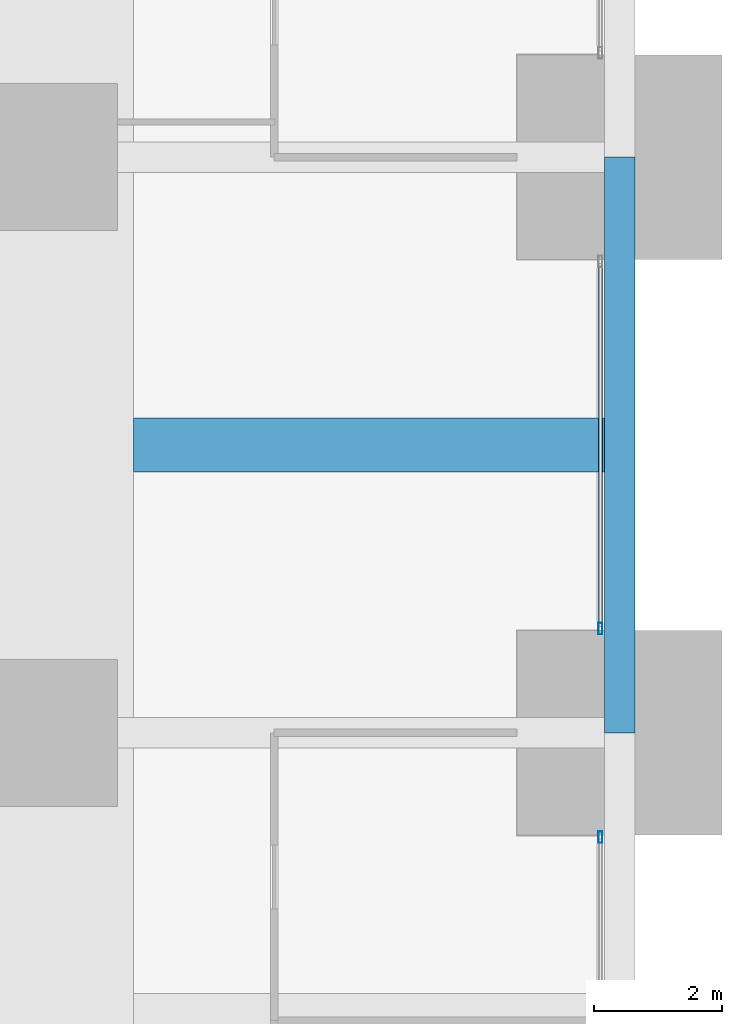
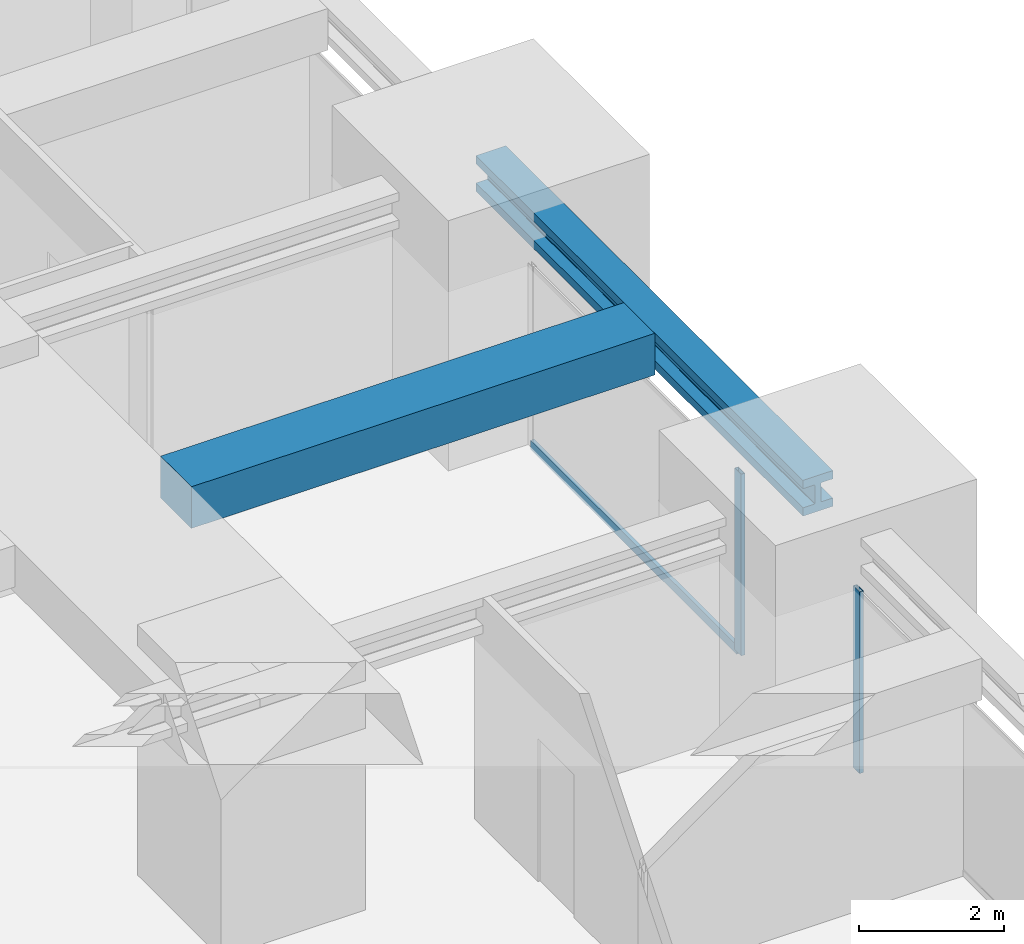
# One storey, part 21 of 42: 3 members, 2 beams, 2 elements without a shape of their own.
"""IFC4 building model written with IfcOpenShell, lengths in metres."""

from ifc_helpers import new_model, si_unit, direction, frame, origin, origin_2d, place, context, subcontext, project, spatial, rectangle, hollow_rectangle, i_section, extrude, material, material_profile, profile_set, type_object, element, aggregate, save


model = new_model("IFC4")

# Units and contexts
model_context = context("Model", 3, precision=1e-05, world=origin(), true_north=direction((0.0, 1.0)))
body_context = subcontext(model_context, "Body", "Model", "MODEL_VIEW")
ifc_project = project(units=[si_unit("LENGTHUNIT", "METRE"), si_unit("AREAUNIT", "SQUARE_METRE"), si_unit("VOLUMEUNIT", "CUBIC_METRE"), si_unit("PLANEANGLEUNIT", "RADIAN"), si_unit("MASSUNIT", "GRAM", prefix="KILO")], contexts=[model_context])

# Site, building, storey
site_placement = place(None, origin())
site = spatial("IfcSite", under=ifc_project, at=site_placement, CompositionType="ELEMENT")
building_placement = place(site_placement, origin())
building = spatial("IfcBuilding", under=site, at=building_placement, Name="Zorevar Civic Tower", CompositionType="ELEMENT")
storey_placement = place(building_placement, frame((0.0, 0.0, 75.800048828125)))
storey = spatial("IfcBuildingStorey", under=building, at=storey_placement, Name="L18", CompositionType="ELEMENT", Elevation=75.800048828125)

# Beams
ifc_material_1 = material(Name="Concrete C50/60", Category="concrete")
ifc_material_profile_1 = material_profile(ifc_material_1, rectangle(XDim=0.85009765625, YDim=0.699951171875, at=origin_2d()), Name="RC 850x700")
ifc_profile_set_1 = profile_set([ifc_material_profile_1], Name="Concrete C50/60")
beam_type_1 = type_object("IfcBeamType", Name="Beam RC 850x700", PredefinedType="BEAM", material=ifc_profile_set_1)
beam_1_placement = place(storey_placement, frame((55.39990234375, 31.5, 3.5), z_axis=(1.0, 0.0, 0.0), x_axis=(0.0, 1.0, 0.0)))
element("IfcBeam", 1, at=beam_1_placement, inside=storey, type_object=beam_type_1, Name="Secondary beam L19", PredefinedType="BEAM", context=body_context, shape_type="SweptSolid", body=[
    extrude(rectangle(XDim=0.85009765625, YDim=0.699951171875, at=origin_2d()), origin(), (0.0, 0.0, 1.0), 7.362060546875),
])
ifc_material_2 = material(Name="Steel S460M (HISTAR 460)", Category="steel")
ifc_material_profile_2 = material_profile(ifc_material_2, i_section(OverallWidth=0.47607421875, OverallDepth=0.60009765625, WebThickness=0.10009765625, FlangeThickness=0.139892578125, FilletRadius=0.014892578125, at=origin_2d()), Name="HD 400x1299")
ifc_profile_set_2 = profile_set([ifc_material_profile_2], Name="Steel S460M (HISTAR 460)")
beam_type_2 = type_object("IfcBeamType", Name="Belt chord HD 400x1299", PredefinedType="BEAM", material=ifc_profile_set_2)
beam_2_placement = place(storey_placement, frame((63.0, 27.0, 3.550048828125), z_axis=(0.0, 1.0, 0.0), x_axis=(-1.0, 0.0, 0.0)))
element("IfcBeam", 2, at=beam_2_placement, inside=storey, type_object=beam_type_2, Name="Belt chord L19", PredefinedType="BEAM", context=body_context, shape_type="SweptSolid", body=[
    extrude(i_section(OverallWidth=0.47607421875, OverallDepth=0.60009765625, WebThickness=0.10009765625, FlangeThickness=0.139892578125, FilletRadius=0.014892578125, at=origin_2d()), origin(), (0.0, 0.0, 1.0), 9.0),
])

# Curtain wall, member
ifc_material_3 = material(Name="Dark grey solar-control glass in black aluminium frame", Category="aluminium")
curtain_wall_type = type_object("IfcCurtainWallType", Name="Curtain wall CW2 low zone", PredefinedType="NOTDEFINED", material=ifc_material_3)
curtain_wall_1_placement = place(storey_placement, origin())
curtain_wall_1 = element("IfcCurtainWall", 3, at=curtain_wall_1_placement, inside=storey, type_object=curtain_wall_type, Name="CW2 L18", PredefinedType="NOTDEFINED")
ifc_material_4 = material(Name="Aluminium, black anodised", Category="aluminium")
ifc_material_profile_3 = material_profile(ifc_material_4, hollow_rectangle(XDim=0.06005859375, YDim=0.179931640625, WallThickness=0.00390625, at=origin_2d()), Name="AL 180x60x4")
ifc_profile_set_3 = profile_set([ifc_material_profile_3], Name="Aluminium, black anodised")
member_type_1 = type_object("IfcMemberType", Name="CW2 mullion AL 180x60x4", PredefinedType="MULLION", material=ifc_profile_set_3)
member_1_placement = place(storey_placement, frame((62.699951171875, 25.3701171875, 0.0), z_axis=(0.0, 0.0, 1.0), x_axis=(-1.0, 0.0, 0.0)))
member_1 = element("IfcMember", 4, at=member_1_placement, type_object=member_type_1, Name="CW2 mullion 2", PredefinedType="MULLION", context=body_context, shape_type="SweptSolid", body=[
    extrude(hollow_rectangle(XDim=0.06005859375, YDim=0.179931640625, WallThickness=0.00390625, at=origin_2d()), origin(), (0.0, 0.0, 1.0), 3.050048828125),
])
aggregate(curtain_wall_1, [member_1])

# Curtain wall, members
curtain_wall_2_placement = place(storey_placement, origin())
curtain_wall_2 = element("IfcCurtainWall", 5, at=curtain_wall_2_placement, inside=storey, type_object=curtain_wall_type, Name="CW2 L18", PredefinedType="NOTDEFINED")
member_2_placement = place(storey_placement, frame((62.699951171875, 28.6298828125, 0.0), z_axis=(0.0, 0.0, 1.0), x_axis=(-1.0, 0.0, 0.0)))
member_2 = element("IfcMember", 6, at=member_2_placement, type_object=member_type_1, Name="CW2 mullion 1", PredefinedType="MULLION", context=body_context, shape_type="SweptSolid", body=[
    extrude(hollow_rectangle(XDim=0.06005859375, YDim=0.179931640625, WallThickness=0.00390625, at=origin_2d()), origin(), (0.0, 0.0, 1.0), 3.050048828125),
])
ifc_material_5 = material(Name="Aluminium, black anodised", Category="aluminium")
ifc_material_profile_4 = material_profile(ifc_material_5, hollow_rectangle(XDim=0.06005859375, YDim=0.14990234375, WallThickness=0.00390625, at=origin_2d()), Name="AL 150x60x4")
ifc_profile_set_4 = profile_set([ifc_material_profile_4], Name="Aluminium, black anodised")
member_type_2 = type_object("IfcMemberType", Name="CW2 transom AL 150x60x4", PredefinedType="USERDEFINED", material=ifc_profile_set_4)
member_3_placement = place(storey_placement, frame((62.699951171875, 28.659912109375, 0.030029296875), z_axis=(0.0, 1.0, 0.0), x_axis=(-1.0, 0.0, 0.0)))
member_3 = element("IfcMember", 7, at=member_3_placement, type_object=member_type_2, Name="CW2 sill transom", ObjectType="TRANSOM", PredefinedType="USERDEFINED", context=body_context, shape_type="SweptSolid", body=[
    extrude(hollow_rectangle(XDim=0.06005859375, YDim=0.14990234375, WallThickness=0.00390625, at=origin_2d()), origin(), (0.0, 0.0, 1.0), 5.68017578125),
])
aggregate(curtain_wall_2, [member_2, member_3])

save(model, "model.ifc")
